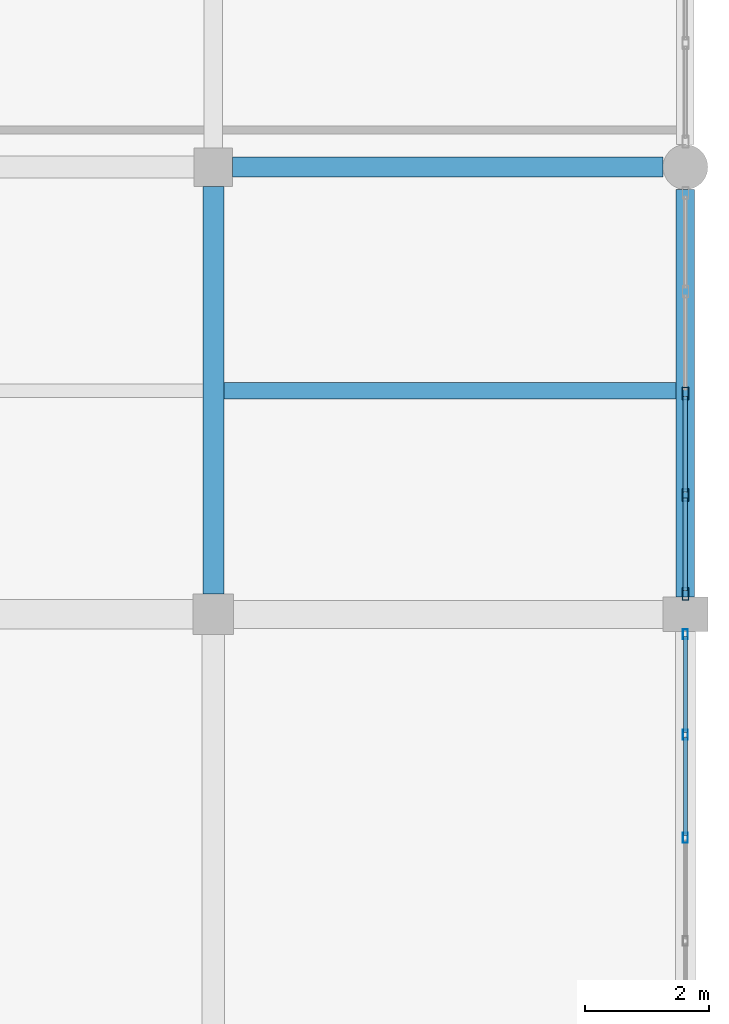
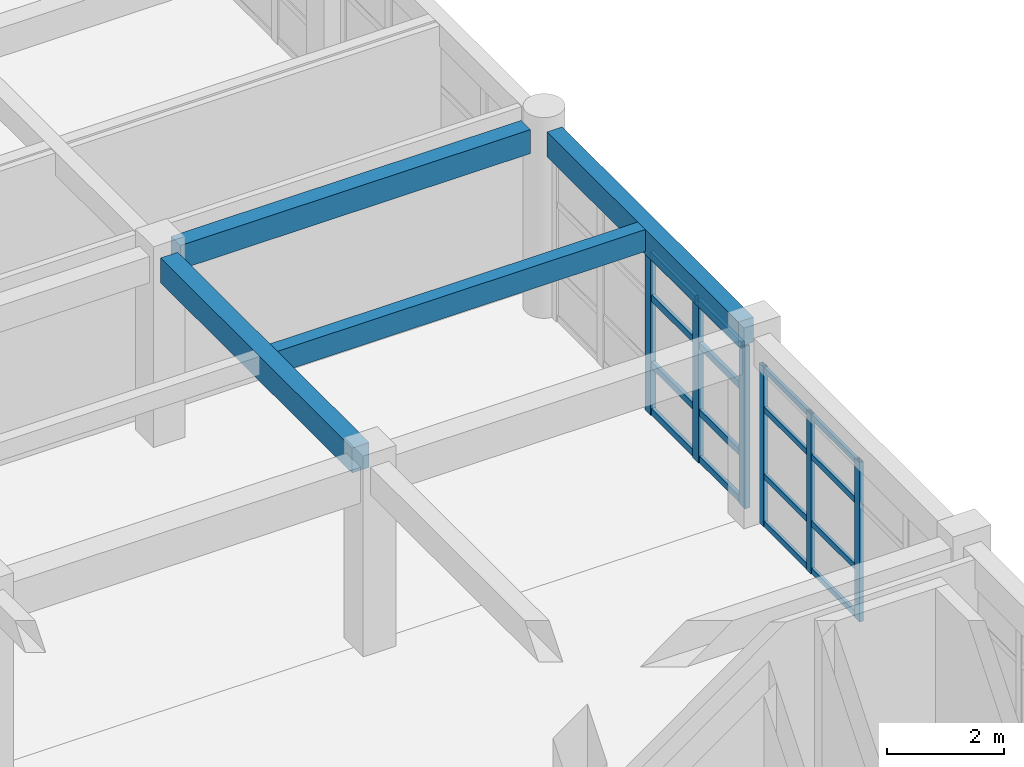
# One storey, part 138 of 195: 22 members, 4 beams, 2 elements without a shape of their own.
"""IFC4 building model written with IfcOpenShell, lengths in metres."""

from ifc_helpers import new_model, si_unit, direction, frame, origin, origin_2d, place, context, subcontext, project, spatial, rectangle, hollow_rectangle, extrude, material, material_profile, profile_set, type_object, element, aggregate, save


model = new_model("IFC4")

# Units and contexts
model_context = context("Model", 3, precision=1e-05, world=origin(), true_north=direction((0.0, 1.0)))
body_context = subcontext(model_context, "Body", "Model", "MODEL_VIEW")
ifc_project = project(units=[si_unit("LENGTHUNIT", "METRE"), si_unit("AREAUNIT", "SQUARE_METRE"), si_unit("VOLUMEUNIT", "CUBIC_METRE"), si_unit("PLANEANGLEUNIT", "RADIAN"), si_unit("MASSUNIT", "GRAM", prefix="KILO")], contexts=[model_context])

# Site, building, storey
site_placement = place(None, origin())
site = spatial("IfcSite", under=ifc_project, at=site_placement, CompositionType="ELEMENT")
building_placement = place(site_placement, origin())
building = spatial("IfcBuilding", under=site, at=building_placement, Name="Kharva Crest Polytechnic", CompositionType="ELEMENT")
storey_placement = place(building_placement, frame((0.0, 0.0, 9.0)))
storey = spatial("IfcBuildingStorey", under=building, at=storey_placement, Name="L02", CompositionType="ELEMENT", Elevation=9.0)

# Beams
ifc_material_1 = material(Name="Concrete C35/45", Category="concrete")
ifc_material_profile_1 = material_profile(ifc_material_1, rectangle(XDim=0.320068359375, YDim=0.5, at=origin_2d()), Name="RECT 320 X 500")
ifc_profile_set_1 = profile_set([ifc_material_profile_1], Name="Concrete C35/45")
beam_type_1 = type_object("IfcBeamType", Name="BM-RC-320X500", PredefinedType="BEAM", material=ifc_profile_set_1)
beam_1_placement = place(storey_placement, frame((176.7099609375, 107.60009765625, 3.669921875), z_axis=(1.0, 0.0, 0.0), x_axis=(0.0, 1.0, 0.0)))
element("IfcBeam", 1, at=beam_1_placement, inside=storey, type_object=beam_type_1, Name="L02 Beam Q/23-24", PredefinedType="BEAM", context=body_context, shape_type="SweptSolid", body=[
    extrude(rectangle(XDim=0.320068359375, YDim=0.5, at=origin_2d()), origin(), (0.0, 0.0, 1.0), 6.929931640625),
])
ifc_material_profile_2 = material_profile(ifc_material_1, rectangle(XDim=0.340087890625, YDim=0.52001953125, at=origin_2d()), Name="RECT 340 X 520")
ifc_profile_set_2 = profile_set([ifc_material_profile_2], Name="Concrete C35/45")
beam_type_2 = type_object("IfcBeamType", Name="BM-RC-340X520", PredefinedType="BEAM", material=ifc_profile_set_2)
beam_2_placement = place(storey_placement, frame((176.39990234375, 100.72509765625, 3.659912109375), z_axis=(0.0, 1.0, 0.0), x_axis=(-1.0, 0.0, 0.0)))
element("IfcBeam", 2, at=beam_2_placement, inside=storey, type_object=beam_type_2, Name="L02 Girder 23/P-Q", PredefinedType="BEAM", context=body_context, shape_type="SweptSolid", body=[
    extrude(rectangle(XDim=0.340087890625, YDim=0.52001953125, at=origin_2d()), origin(), (0.0, 0.0, 1.0), 6.56494140625),
])

# Curtain wall, members
ifc_material_2 = material(Name="Tempered insulated glass", Category="glass")
curtain_wall_type_1 = type_object("IfcCurtainWallType", Name="CW-SYS-COURT", PredefinedType="USERDEFINED", material=ifc_material_2)
curtain_wall_1_placement = place(storey_placement, origin())
curtain_wall_1 = element("IfcCurtainWall", 3, at=curtain_wall_1_placement, inside=storey, type_object=curtain_wall_type_1, Name="L02 Glazed Curtain Wall CW-109", ObjectType="CURTAIN WALL", PredefinedType="USERDEFINED")
ifc_material_3 = material(Name="Steel S355", Category="steel")
ifc_material_profile_3 = material_profile(ifc_material_3, hollow_rectangle(XDim=0.080078125, YDim=0.159912109375, WallThickness=0.0048828125, at=origin_2d()), Name="RHS 160X80X5.0")
ifc_profile_set_3 = profile_set([ifc_material_profile_3], Name="Steel S355")
member_type_1 = type_object("IfcMemberType", Name="CWM-RHS160X80", PredefinedType="MULLION", material=ifc_profile_set_3)
member_1_placement = place(storey_placement, frame((184.0, 96.800048828125, 0.0), z_axis=(0.0, 0.0, 1.0), x_axis=(-1.0, 0.0, 0.0)))
member_1 = element("IfcMember", 4, at=member_1_placement, type_object=member_type_1, Name="CW-109 mullion 3", PredefinedType="MULLION", context=body_context, shape_type="SweptSolid", body=[
    extrude(hollow_rectangle(XDim=0.080078125, YDim=0.159912109375, WallThickness=0.0048828125, at=origin_2d()), origin(), (0.0, 0.0, 1.0), 3.340087890625),
])
member_2_placement = place(storey_placement, frame((184.0, 98.4599609375, 0.0), z_axis=(0.0, 0.0, 1.0), x_axis=(-1.0, 0.0, 0.0)))
member_2 = element("IfcMember", 5, at=member_2_placement, type_object=member_type_1, Name="CW-109 mullion 4", PredefinedType="MULLION", context=body_context, shape_type="SweptSolid", body=[
    extrude(hollow_rectangle(XDim=0.080078125, YDim=0.159912109375, WallThickness=0.0048828125, at=origin_2d()), origin(), (0.0, 0.0, 1.0), 3.340087890625),
])
member_3_placement = place(storey_placement, frame((184.0, 100.080078125, 0.0), z_axis=(0.0, 0.0, 1.0), x_axis=(-1.0, 0.0, 0.0)))
member_3 = element("IfcMember", 6, at=member_3_placement, type_object=member_type_1, Name="CW-109 mullion 5", PredefinedType="MULLION", context=body_context, shape_type="SweptSolid", body=[
    extrude(hollow_rectangle(XDim=0.080078125, YDim=0.159912109375, WallThickness=0.0048828125, at=origin_2d()), origin(), (0.0, 0.0, 1.0), 3.340087890625),
])

curtain_wall_type_2 = type_object("IfcCurtainWallType", Name="CW-SYS-LIBRARY", PredefinedType="USERDEFINED", material=ifc_material_2)
curtain_wall_2_placement = place(storey_placement, origin())
curtain_wall_2 = element("IfcCurtainWall", 7, at=curtain_wall_2_placement, inside=storey, type_object=curtain_wall_type_2, Name="L02 Glazed Curtain Wall CW-110", ObjectType="CURTAIN WALL", PredefinedType="USERDEFINED")
ifc_material_profile_4 = material_profile(ifc_material_3, hollow_rectangle(XDim=0.10009765625, YDim=0.199951171875, WallThickness=0.00634765625, at=origin_2d()), Name="RHS 200X100X6.3")
ifc_profile_set_4 = profile_set([ifc_material_profile_4], Name="Steel S355")
member_type_2 = type_object("IfcMemberType", Name="CWM-RHS200X100", PredefinedType="MULLION", material=ifc_profile_set_4)
member_4_placement = place(storey_placement, frame((184.0, 100.72998046875, 0.0), z_axis=(0.0, 0.0, 1.0), x_axis=(-1.0, 0.0, 0.0)))
member_4 = element("IfcMember", 8, at=member_4_placement, type_object=member_type_2, Name="CW-110 mullion 1", PredefinedType="MULLION", context=body_context, shape_type="SweptSolid", body=[
    extrude(hollow_rectangle(XDim=0.10009765625, YDim=0.199951171875, WallThickness=0.00634765625, at=origin_2d()), origin(), (0.0, 0.0, 1.0), 3.39990234375),
])
member_5_placement = place(storey_placement, frame((184.0, 102.31884765625, 0.0), z_axis=(0.0, 0.0, 1.0), x_axis=(-1.0, 0.0, 0.0)))
member_5 = element("IfcMember", 9, at=member_5_placement, type_object=member_type_2, Name="CW-110 mullion 2", PredefinedType="MULLION", context=body_context, shape_type="SweptSolid", body=[
    extrude(hollow_rectangle(XDim=0.10009765625, YDim=0.199951171875, WallThickness=0.00634765625, at=origin_2d()), origin(), (0.0, 0.0, 1.0), 3.39990234375),
])
member_6_placement = place(storey_placement, frame((184.0, 103.95751953125, 0.0), z_axis=(0.0, 0.0, 1.0), x_axis=(-1.0, 0.0, 0.0)))
member_6 = element("IfcMember", 10, at=member_6_placement, type_object=member_type_2, Name="CW-110 mullion 3", PredefinedType="MULLION", context=body_context, shape_type="SweptSolid", body=[
    extrude(hollow_rectangle(XDim=0.10009765625, YDim=0.199951171875, WallThickness=0.00634765625, at=origin_2d()), origin(), (0.0, 0.0, 1.0), 3.39990234375),
])

# Member
ifc_material_profile_5 = material_profile(ifc_material_3, hollow_rectangle(XDim=0.06005859375, YDim=0.1201171875, WallThickness=0.00390625, at=origin_2d()), Name="RHS 120X60X4.0")
ifc_profile_set_5 = profile_set([ifc_material_profile_5], Name="Steel S355")
member_type_3 = type_object("IfcMemberType", Name="CWT-RHS120X60", PredefinedType="USERDEFINED", material=ifc_profile_set_5)
member_7_placement = place(storey_placement, frame((184.0, 96.840087890625, 0.06005859375), z_axis=(0.0, 1.0, 0.0), x_axis=(-1.0, 0.0, 0.0)))
member_7 = element("IfcMember", 11, at=member_7_placement, type_object=member_type_3, Name="CW-109 transom 3.1", ObjectType="TRANSOM", PredefinedType="USERDEFINED", context=body_context, shape_type="SweptSolid", body=[
    extrude(hollow_rectangle(XDim=0.06005859375, YDim=0.1201171875, WallThickness=0.00390625, at=origin_2d()), origin(), (0.0, 0.0, 1.0), 1.579833984375),
])

member_8_placement = place(storey_placement, frame((184.0, 96.840087890625, 1.050048828125), z_axis=(0.0, 1.0, 0.0), x_axis=(-1.0, 0.0, 0.0)))
member_8 = element("IfcMember", 12, at=member_8_placement, type_object=member_type_3, Name="CW-109 transom 3.2", ObjectType="TRANSOM", PredefinedType="USERDEFINED", context=body_context, shape_type="SweptSolid", body=[
    extrude(hollow_rectangle(XDim=0.06005859375, YDim=0.1201171875, WallThickness=0.00390625, at=origin_2d()), origin(), (0.0, 0.0, 1.0), 1.579833984375),
])

member_9_placement = place(storey_placement, frame((184.0, 96.840087890625, 2.449951171875), z_axis=(0.0, 1.0, 0.0), x_axis=(-1.0, 0.0, 0.0)))
member_9 = element("IfcMember", 13, at=member_9_placement, type_object=member_type_3, Name="CW-109 transom 3.3", ObjectType="TRANSOM", PredefinedType="USERDEFINED", context=body_context, shape_type="SweptSolid", body=[
    extrude(hollow_rectangle(XDim=0.06005859375, YDim=0.1201171875, WallThickness=0.00390625, at=origin_2d()), origin(), (0.0, 0.0, 1.0), 1.579833984375),
])

member_10_placement = place(storey_placement, frame((184.0, 96.840087890625, 3.280029296875), z_axis=(0.0, 1.0, 0.0), x_axis=(-1.0, 0.0, 0.0)))
member_10 = element("IfcMember", 14, at=member_10_placement, type_object=member_type_3, Name="CW-109 transom 3.4", ObjectType="TRANSOM", PredefinedType="USERDEFINED", context=body_context, shape_type="SweptSolid", body=[
    extrude(hollow_rectangle(XDim=0.06005859375, YDim=0.1201171875, WallThickness=0.00390625, at=origin_2d()), origin(), (0.0, 0.0, 1.0), 1.579833984375),
])

member_11_placement = place(storey_placement, frame((184.0, 98.5, 0.06005859375), z_axis=(0.0, 1.0, 0.0), x_axis=(-1.0, 0.0, 0.0)))
member_11 = element("IfcMember", 15, at=member_11_placement, type_object=member_type_3, Name="CW-109 transom 4.1", ObjectType="TRANSOM", PredefinedType="USERDEFINED", context=body_context, shape_type="SweptSolid", body=[
    extrude(hollow_rectangle(XDim=0.06005859375, YDim=0.1201171875, WallThickness=0.00390625, at=origin_2d()), origin(), (0.0, 0.0, 1.0), 1.5400390625),
])

member_12_placement = place(storey_placement, frame((184.0, 98.5, 1.050048828125), z_axis=(0.0, 1.0, 0.0), x_axis=(-1.0, 0.0, 0.0)))
member_12 = element("IfcMember", 16, at=member_12_placement, type_object=member_type_3, Name="CW-109 transom 4.2", ObjectType="TRANSOM", PredefinedType="USERDEFINED", context=body_context, shape_type="SweptSolid", body=[
    extrude(hollow_rectangle(XDim=0.06005859375, YDim=0.1201171875, WallThickness=0.00390625, at=origin_2d()), origin(), (0.0, 0.0, 1.0), 1.5400390625),
])

member_13_placement = place(storey_placement, frame((184.0, 98.5, 2.449951171875), z_axis=(0.0, 1.0, 0.0), x_axis=(-1.0, 0.0, 0.0)))
member_13 = element("IfcMember", 17, at=member_13_placement, type_object=member_type_3, Name="CW-109 transom 4.3", ObjectType="TRANSOM", PredefinedType="USERDEFINED", context=body_context, shape_type="SweptSolid", body=[
    extrude(hollow_rectangle(XDim=0.06005859375, YDim=0.1201171875, WallThickness=0.00390625, at=origin_2d()), origin(), (0.0, 0.0, 1.0), 1.5400390625),
])

member_14_placement = place(storey_placement, frame((184.0, 98.5, 3.280029296875), z_axis=(0.0, 1.0, 0.0), x_axis=(-1.0, 0.0, 0.0)))
member_14 = element("IfcMember", 18, at=member_14_placement, type_object=member_type_3, Name="CW-109 transom 4.4", ObjectType="TRANSOM", PredefinedType="USERDEFINED", context=body_context, shape_type="SweptSolid", body=[
    extrude(hollow_rectangle(XDim=0.06005859375, YDim=0.1201171875, WallThickness=0.00390625, at=origin_2d()), origin(), (0.0, 0.0, 1.0), 1.5400390625),
])

aggregate(curtain_wall_1, [member_1, member_2, member_3, member_7, member_8, member_9, member_10, member_11, member_12, member_13, member_14])

ifc_material_profile_6 = material_profile(ifc_material_3, hollow_rectangle(XDim=0.070068359375, YDim=0.139892578125, WallThickness=0.00390625, at=origin_2d()), Name="RHS 140X70X4.0")
ifc_profile_set_6 = profile_set([ifc_material_profile_6], Name="Steel S355")
member_type_4 = type_object("IfcMemberType", Name="CWT-RHS140X70", PredefinedType="USERDEFINED", material=ifc_profile_set_6)
member_15_placement = place(storey_placement, frame((184.0, 100.780029296875, 0.070068359375), z_axis=(0.0, 1.0, 0.0), x_axis=(-1.0, 0.0, 0.0)))
member_15 = element("IfcMember", 19, at=member_15_placement, type_object=member_type_4, Name="CW-110 transom 1.1", ObjectType="TRANSOM", PredefinedType="USERDEFINED", context=body_context, shape_type="SweptSolid", body=[
    extrude(hollow_rectangle(XDim=0.070068359375, YDim=0.139892578125, WallThickness=0.00390625, at=origin_2d()), origin(), (0.0, 0.0, 1.0), 1.48876953125),
])

member_16_placement = place(storey_placement, frame((184.0, 100.780029296875, 1.050048828125), z_axis=(0.0, 1.0, 0.0), x_axis=(-1.0, 0.0, 0.0)))
member_16 = element("IfcMember", 20, at=member_16_placement, type_object=member_type_4, Name="CW-110 transom 1.2", ObjectType="TRANSOM", PredefinedType="USERDEFINED", context=body_context, shape_type="SweptSolid", body=[
    extrude(hollow_rectangle(XDim=0.070068359375, YDim=0.139892578125, WallThickness=0.00390625, at=origin_2d()), origin(), (0.0, 0.0, 1.0), 1.48876953125),
])

member_17_placement = place(storey_placement, frame((184.0, 100.780029296875, 2.449951171875), z_axis=(0.0, 1.0, 0.0), x_axis=(-1.0, 0.0, 0.0)))
member_17 = element("IfcMember", 21, at=member_17_placement, type_object=member_type_4, Name="CW-110 transom 1.3", ObjectType="TRANSOM", PredefinedType="USERDEFINED", context=body_context, shape_type="SweptSolid", body=[
    extrude(hollow_rectangle(XDim=0.070068359375, YDim=0.139892578125, WallThickness=0.00390625, at=origin_2d()), origin(), (0.0, 0.0, 1.0), 1.48876953125),
])

member_18_placement = place(storey_placement, frame((184.0, 100.780029296875, 3.330078125), z_axis=(0.0, 1.0, 0.0), x_axis=(-1.0, 0.0, 0.0)))
member_18 = element("IfcMember", 22, at=member_18_placement, type_object=member_type_4, Name="CW-110 transom 1.4", ObjectType="TRANSOM", PredefinedType="USERDEFINED", context=body_context, shape_type="SweptSolid", body=[
    extrude(hollow_rectangle(XDim=0.070068359375, YDim=0.139892578125, WallThickness=0.00390625, at=origin_2d()), origin(), (0.0, 0.0, 1.0), 1.48876953125),
])

member_19_placement = place(storey_placement, frame((184.0, 102.36865234375, 0.070068359375), z_axis=(0.0, 1.0, 0.0), x_axis=(-1.0, 0.0, 0.0)))
member_19 = element("IfcMember", 23, at=member_19_placement, type_object=member_type_4, Name="CW-110 transom 2.1", ObjectType="TRANSOM", PredefinedType="USERDEFINED", context=body_context, shape_type="SweptSolid", body=[
    extrude(hollow_rectangle(XDim=0.070068359375, YDim=0.139892578125, WallThickness=0.00390625, at=origin_2d()), origin(), (0.0, 0.0, 1.0), 1.538818359375),
])

member_20_placement = place(storey_placement, frame((184.0, 102.36865234375, 1.050048828125), z_axis=(0.0, 1.0, 0.0), x_axis=(-1.0, 0.0, 0.0)))
member_20 = element("IfcMember", 24, at=member_20_placement, type_object=member_type_4, Name="CW-110 transom 2.2", ObjectType="TRANSOM", PredefinedType="USERDEFINED", context=body_context, shape_type="SweptSolid", body=[
    extrude(hollow_rectangle(XDim=0.070068359375, YDim=0.139892578125, WallThickness=0.00390625, at=origin_2d()), origin(), (0.0, 0.0, 1.0), 1.538818359375),
])

member_21_placement = place(storey_placement, frame((184.0, 102.36865234375, 2.449951171875), z_axis=(0.0, 1.0, 0.0), x_axis=(-1.0, 0.0, 0.0)))
member_21 = element("IfcMember", 25, at=member_21_placement, type_object=member_type_4, Name="CW-110 transom 2.3", ObjectType="TRANSOM", PredefinedType="USERDEFINED", context=body_context, shape_type="SweptSolid", body=[
    extrude(hollow_rectangle(XDim=0.070068359375, YDim=0.139892578125, WallThickness=0.00390625, at=origin_2d()), origin(), (0.0, 0.0, 1.0), 1.538818359375),
])

member_22_placement = place(storey_placement, frame((184.0, 102.36865234375, 3.330078125), z_axis=(0.0, 1.0, 0.0), x_axis=(-1.0, 0.0, 0.0)))
member_22 = element("IfcMember", 26, at=member_22_placement, type_object=member_type_4, Name="CW-110 transom 2.4", ObjectType="TRANSOM", PredefinedType="USERDEFINED", context=body_context, shape_type="SweptSolid", body=[
    extrude(hollow_rectangle(XDim=0.070068359375, YDim=0.139892578125, WallThickness=0.00390625, at=origin_2d()), origin(), (0.0, 0.0, 1.0), 1.538818359375),
])

aggregate(curtain_wall_2, [member_4, member_5, member_6, member_15, member_16, member_17, member_18, member_19, member_20, member_21, member_22])

# Beams
ifc_material_profile_7 = material_profile(ifc_material_1, rectangle(XDim=0.260009765625, YDim=0.4599609375, at=origin_2d()), Name="RECT 260 X 460")
ifc_profile_set_7 = profile_set([ifc_material_profile_7], Name="Concrete C35/45")
beam_type_3 = type_object("IfcBeamType", Name="JS-RC-260X460", PredefinedType="JOIST", material=ifc_profile_set_7)
beam_3_placement = place(storey_placement, frame((176.570068359375, 104.0, 3.68994140625), z_axis=(1.0, 0.0, 0.0), x_axis=(0.0, 1.0, 0.0)))
element("IfcBeam", 27, at=beam_3_placement, inside=storey, type_object=beam_type_3, Name="L02 Floor Joist 33", PredefinedType="JOIST", context=body_context, shape_type="SweptSolid", body=[
    extrude(rectangle(XDim=0.260009765625, YDim=0.4599609375, at=origin_2d()), origin(), (0.0, 0.0, 1.0), 7.280029296875),
])
ifc_material_profile_8 = material_profile(ifc_material_1, rectangle(XDim=0.300048828125, YDim=0.52001953125, at=origin_2d()), Name="RECT 300 X 520")
ifc_profile_set_8 = profile_set([ifc_material_profile_8], Name="Concrete C35/45")
beam_type_4 = type_object("IfcBeamType", Name="SP-RC-300X520", PredefinedType="SPANDREL", material=ifc_profile_set_8)
beam_4_placement = place(storey_placement, frame((184.0, 100.675048828125, 3.659912109375), z_axis=(0.0, 1.0, 0.0), x_axis=(-1.0, 0.0, 0.0)))
element("IfcBeam", 28, at=beam_4_placement, inside=storey, type_object=beam_type_4, Name="L02 Girder 24/P-Q", PredefinedType="SPANDREL", context=body_context, shape_type="SweptSolid", body=[
    extrude(rectangle(XDim=0.300048828125, YDim=0.52001953125, at=origin_2d()), origin(), (0.0, 0.0, 1.0), 6.56494140625),
])

save(model, "model.ifc")
